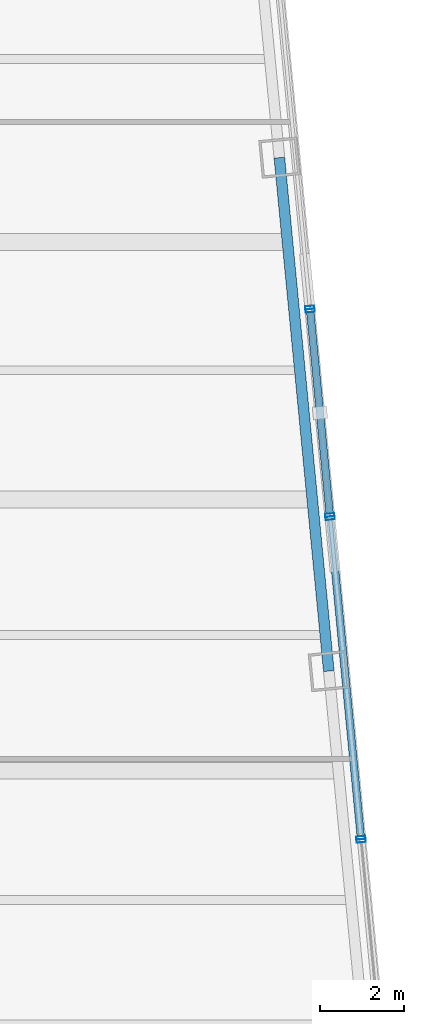
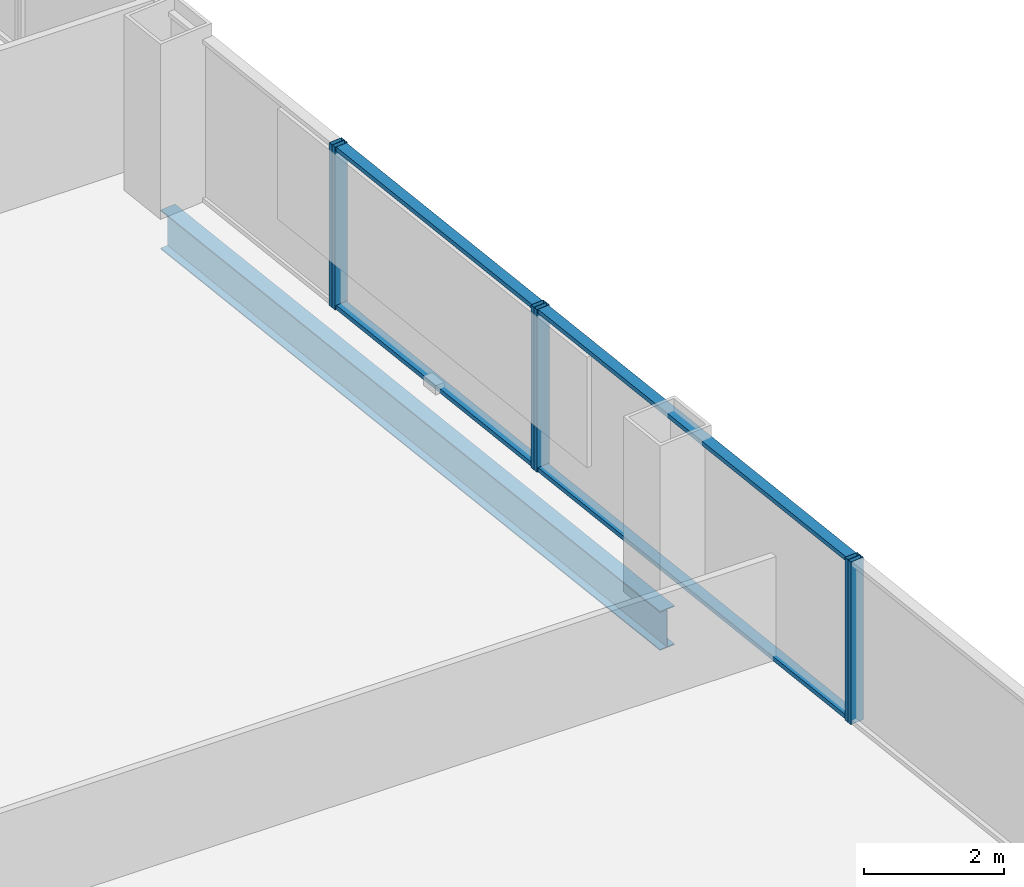
# One storey, part 13 of 27: 10 members, 1 beam, 4 elements without a shape of their own.
"""IFC4 building model written with IfcOpenShell, lengths in metres."""

from ifc_helpers import new_model, si_unit, direction, frame, origin, origin_2d, place, context, subcontext, project, spatial, hollow_rectangle, i_section, extrude, material, layer, layer_set, material_profile, profile_set, type_object, element, aggregate, save


model = new_model("IFC4")

# Units and contexts
model_context = context("Model", 3, precision=1e-05, world=origin(), true_north=direction((0.0, 1.0)))
body_context = subcontext(model_context, "Body", "Model", "MODEL_VIEW")
ifc_project = project(units=[si_unit("LENGTHUNIT", "METRE"), si_unit("AREAUNIT", "SQUARE_METRE"), si_unit("VOLUMEUNIT", "CUBIC_METRE"), si_unit("PLANEANGLEUNIT", "RADIAN"), si_unit("MASSUNIT", "GRAM", prefix="KILO")], contexts=[model_context])

# Site, building, storey
site_placement = place(None, origin())
site = spatial("IfcSite", under=ifc_project, at=site_placement, CompositionType="ELEMENT")
building_placement = place(site_placement, origin())
building = spatial("IfcBuilding", under=site, at=building_placement, Name="Qhalaya Broadcast Tower", CompositionType="ELEMENT")
storey_placement = place(building_placement, frame((0.0, 0.0, 75.550048828125)))
storey = spatial("IfcBuildingStorey", under=building, at=storey_placement, Name="L21", CompositionType="ELEMENT", Elevation=75.550048828125)

# Beam
ifc_material_1 = material(Name="Structural Steel ASTM A992 Grade 50", Category="steel")
ifc_material_profile_1 = material_profile(ifc_material_1, i_section(OverallWidth=0.25390625, OverallDepth=0.68310546875, WebThickness=0.012451171875, FlangeThickness=0.01904296875, at=origin_2d()), Name="W27X94")
ifc_profile_set_1 = profile_set([ifc_material_profile_1], Name="Structural Steel ASTM A992 Grade 50")
beam_type = type_object("IfcBeamType", Name="Perimeter Ring Spandrel Beam SP1", PredefinedType="SPANDREL", material=ifc_profile_set_1)
beam_placement = place(storey_placement, frame((28.116943359375, -0.255126953125, -0.5615234375), z_axis=(-0.095851586307, 0.99539563662, 0.0), x_axis=(-0.99539563662, -0.095851586307, 0.0)))
element("IfcBeam", 1, at=beam_placement, inside=storey, type_object=beam_type, Name="L21 SP1 L21-SPR-06", PredefinedType="SPANDREL", context=body_context, shape_type="SweptSolid", body=[
    extrude(i_section(OverallWidth=0.25390625, OverallDepth=0.68310546875, WebThickness=0.012451171875, FlangeThickness=0.01904296875, at=origin_2d()), origin(), (0.0, 0.0, 1.0), 12.2666015625),
])

# Curtain wall, member
ifc_material_2 = material(Name="Solar-Control Low-E Triple Glazing", Category="glass")
ifc_layer_1 = layer(ifc_material_2, 0.219970703125, Name="Solar-Control Low-E Triple Glazing")
ifc_layer_set_1 = layer_set([ifc_layer_1], Name="Solar-Control Low-E Triple Glazing")
curtain_wall_type_1 = type_object("IfcCurtainWallType", Name="Even-Block 4-Storey Double-Module Curtain Wall CW-03", PredefinedType="NOTDEFINED", material=ifc_layer_set_1)
curtain_wall_1_placement = place(storey_placement, origin())
curtain_wall_1 = element("IfcCurtainWall", 2, at=curtain_wall_1_placement, inside=storey, type_object=curtain_wall_type_1, Name="L21 Unitised Curtain Wall L21-CW-E2", PredefinedType="NOTDEFINED")
ifc_material_3 = material(Name="Anodised Aluminium 6063-T6", Category="aluminium")
ifc_material_profile_2 = material_profile(ifc_material_3, hollow_rectangle(XDim=0.074951171875, YDim=0.219970703125, WallThickness=0.00390625, at=origin_2d()), Name="ALU-MUL 75x220x4")
ifc_profile_set_2 = profile_set([ifc_material_profile_2], Name="Anodised Aluminium 6063-T6")
member_type_1 = type_object("IfcMemberType", Name="Unitised Curtain-Wall Mullion M01", PredefinedType="MULLION", material=ifc_profile_set_2)
member_1_placement = place(storey_placement, frame((28.887451171875, -4.292236328125, 0.0), z_axis=(0.0, 0.0, 1.0), x_axis=(-0.095844611292, 0.995396308254, 0.0)))
member_1 = element("IfcMember", 3, at=member_1_placement, type_object=member_type_1, Name="CW-03 mullion 2", PredefinedType="MULLION", context=body_context, shape_type="SweptSolid", body=[
    extrude(hollow_rectangle(XDim=0.074951171875, YDim=0.219970703125, WallThickness=0.00390625, at=origin_2d()), origin(), (0.0, 0.0, 1.0), 2.829833984375),
])
aggregate(curtain_wall_1, [member_1])

# Curtain wall, members
ifc_material_4 = material(Name="Fired Architectural Terracotta", Category="masonry")
ifc_layer_2 = layer(ifc_material_4, 0.219970703125, Name="Fired Architectural Terracotta")
ifc_layer_set_2 = layer_set([ifc_layer_2], Name="Fired Architectural Terracotta")
curtain_wall_type_2 = type_object("IfcCurtainWallType", Name="Block-Cap Unitised Terracotta Spandrel Wall CW-07", PredefinedType="NOTDEFINED", material=ifc_layer_set_2)
curtain_wall_2_placement = place(storey_placement, origin())
curtain_wall_2 = element("IfcCurtainWall", 4, at=curtain_wall_2_placement, inside=storey, type_object=curtain_wall_type_2, Name="L21 Unitised Curtain Wall L21-CW-E3", PredefinedType="NOTDEFINED")
member_2_placement = place(storey_placement, frame((28.880126953125, -4.217529296875, 0.0), z_axis=(0.0, 0.0, 1.0), x_axis=(-0.095849092763, 0.995395876733, 0.0)))
member_2 = element("IfcMember", 5, at=member_2_placement, type_object=member_type_1, Name="CW-07 mullion 1", PredefinedType="MULLION", context=body_context, shape_type="SweptSolid", body=[
    extrude(hollow_rectangle(XDim=0.074951171875, YDim=0.219970703125, WallThickness=0.00390625, at=origin_2d()), origin(), (0.0, 0.0, 1.0), 2.829833984375),
])
member_3_placement = place(storey_placement, frame((28.1484375, 3.38134765625, 0.0), z_axis=(0.0, 0.0, 1.0), x_axis=(-0.095849092763, 0.995395876733, 0.0)))
member_3 = element("IfcMember", 6, at=member_3_placement, type_object=member_type_1, Name="CW-07 mullion 2", PredefinedType="MULLION", context=body_context, shape_type="SweptSolid", body=[
    extrude(hollow_rectangle(XDim=0.074951171875, YDim=0.219970703125, WallThickness=0.00390625, at=origin_2d()), origin(), (0.0, 0.0, 1.0), 2.829833984375),
])

curtain_wall_3_placement = place(storey_placement, origin())
curtain_wall_3 = element("IfcCurtainWall", 7, at=curtain_wall_3_placement, inside=storey, type_object=curtain_wall_type_1, Name="L21 Unitised Curtain Wall L21-CW-E4", PredefinedType="NOTDEFINED")
member_4_placement = place(storey_placement, frame((28.141357421875, 3.4560546875, 0.0), z_axis=(0.0, 0.0, 1.0), x_axis=(-0.095844611292, 0.995396308254, 0.0)))
member_4 = element("IfcMember", 8, at=member_4_placement, type_object=member_type_1, Name="CW-03 mullion 1", PredefinedType="MULLION", context=body_context, shape_type="SweptSolid", body=[
    extrude(hollow_rectangle(XDim=0.074951171875, YDim=0.219970703125, WallThickness=0.00390625, at=origin_2d()), origin(), (0.0, 0.0, 1.0), 2.829833984375),
])
member_5_placement = place(storey_placement, frame((27.67333984375, 8.316650390625, 0.0), z_axis=(0.0, 0.0, 1.0), x_axis=(-0.095844611292, 0.995396308254, 0.0)))
member_5 = element("IfcMember", 9, at=member_5_placement, type_object=member_type_1, Name="CW-03 mullion 2", PredefinedType="MULLION", context=body_context, shape_type="SweptSolid", body=[
    extrude(hollow_rectangle(XDim=0.074951171875, YDim=0.219970703125, WallThickness=0.00390625, at=origin_2d()), origin(), (0.0, 0.0, 1.0), 2.829833984375),
])

# Curtain wall, member
curtain_wall_4_placement = place(storey_placement, origin())
curtain_wall_4 = element("IfcCurtainWall", 10, at=curtain_wall_4_placement, inside=storey, type_object=curtain_wall_type_2, Name="L21 Unitised Curtain Wall L21-CW-E5", PredefinedType="NOTDEFINED")
member_6_placement = place(storey_placement, frame((27.666015625, 8.39111328125, 0.0), z_axis=(0.0, 0.0, 1.0), x_axis=(-0.095849092763, 0.995395876733, 0.0)))
member_6 = element("IfcMember", 11, at=member_6_placement, type_object=member_type_1, Name="CW-07 mullion 1", PredefinedType="MULLION", context=body_context, shape_type="SweptSolid", body=[
    extrude(hollow_rectangle(XDim=0.074951171875, YDim=0.219970703125, WallThickness=0.00390625, at=origin_2d()), origin(), (0.0, 0.0, 1.0), 2.829833984375),
])
aggregate(curtain_wall_4, [member_6])

# Member
ifc_material_profile_3 = material_profile(ifc_material_3, hollow_rectangle(XDim=0.074951171875, YDim=0.179931640625, WallThickness=0.00390625, at=origin_2d()), Name="ALU-TRN 75x180x4")
ifc_profile_set_3 = profile_set([ifc_material_profile_3], Name="Anodised Aluminium 6063-T6")
member_type_2 = type_object("IfcMemberType", Name="Unitised Curtain-Wall Transom T01", PredefinedType="USERDEFINED", material=ifc_profile_set_3)
member_7_placement = place(storey_placement, frame((28.876708984375, -4.18017578125, 0.037353515625), z_axis=(-0.095860723512, 0.995394756711, 0.0), x_axis=(0.0, 0.0, 1.0)))
member_7 = element("IfcMember", 12, at=member_7_placement, type_object=member_type_2, Name="CW-07 transom 1.1", ObjectType="TRANSOM", PredefinedType="USERDEFINED", context=body_context, shape_type="SweptSolid", body=[
    extrude(hollow_rectangle(XDim=0.074951171875, YDim=0.179931640625, WallThickness=0.00390625, at=origin_2d()), origin(), (0.0, 0.0, 1.0), 7.55908203125),
])

member_8_placement = place(storey_placement, frame((28.876708984375, -4.18017578125, 2.79248046875), z_axis=(-0.095860723512, 0.995394756711, 0.0), x_axis=(0.0, 0.0, 1.0)))
member_8 = element("IfcMember", 13, at=member_8_placement, type_object=member_type_2, Name="CW-07 transom 1.2", ObjectType="TRANSOM", PredefinedType="USERDEFINED", context=body_context, shape_type="SweptSolid", body=[
    extrude(hollow_rectangle(XDim=0.074951171875, YDim=0.179931640625, WallThickness=0.00390625, at=origin_2d()), origin(), (0.0, 0.0, 1.0), 7.55908203125),
])

aggregate(curtain_wall_2, [member_2, member_3, member_7, member_8])

member_9_placement = place(storey_placement, frame((28.1376953125, 3.493408203125, 0.037353515625), z_axis=(-0.0958178693, 0.995398882822, 0.0), x_axis=(0.0, 0.0, 1.0)))
member_9 = element("IfcMember", 14, at=member_9_placement, type_object=member_type_2, Name="CW-03 transom 1.1", ObjectType="TRANSOM", PredefinedType="USERDEFINED", context=body_context, shape_type="SweptSolid", body=[
    extrude(hollow_rectangle(XDim=0.074951171875, YDim=0.179931640625, WallThickness=0.00390625, at=origin_2d()), origin(), (0.0, 0.0, 1.0), 4.80810546875),
])

member_10_placement = place(storey_placement, frame((28.1376953125, 3.493408203125, 2.79248046875), z_axis=(-0.0958178693, 0.995398882822, 0.0), x_axis=(0.0, 0.0, 1.0)))
member_10 = element("IfcMember", 15, at=member_10_placement, type_object=member_type_2, Name="CW-03 transom 1.2", ObjectType="TRANSOM", PredefinedType="USERDEFINED", context=body_context, shape_type="SweptSolid", body=[
    extrude(hollow_rectangle(XDim=0.074951171875, YDim=0.179931640625, WallThickness=0.00390625, at=origin_2d()), origin(), (0.0, 0.0, 1.0), 4.80810546875),
])

aggregate(curtain_wall_3, [member_4, member_5, member_9, member_10])

save(model, "model.ifc")
